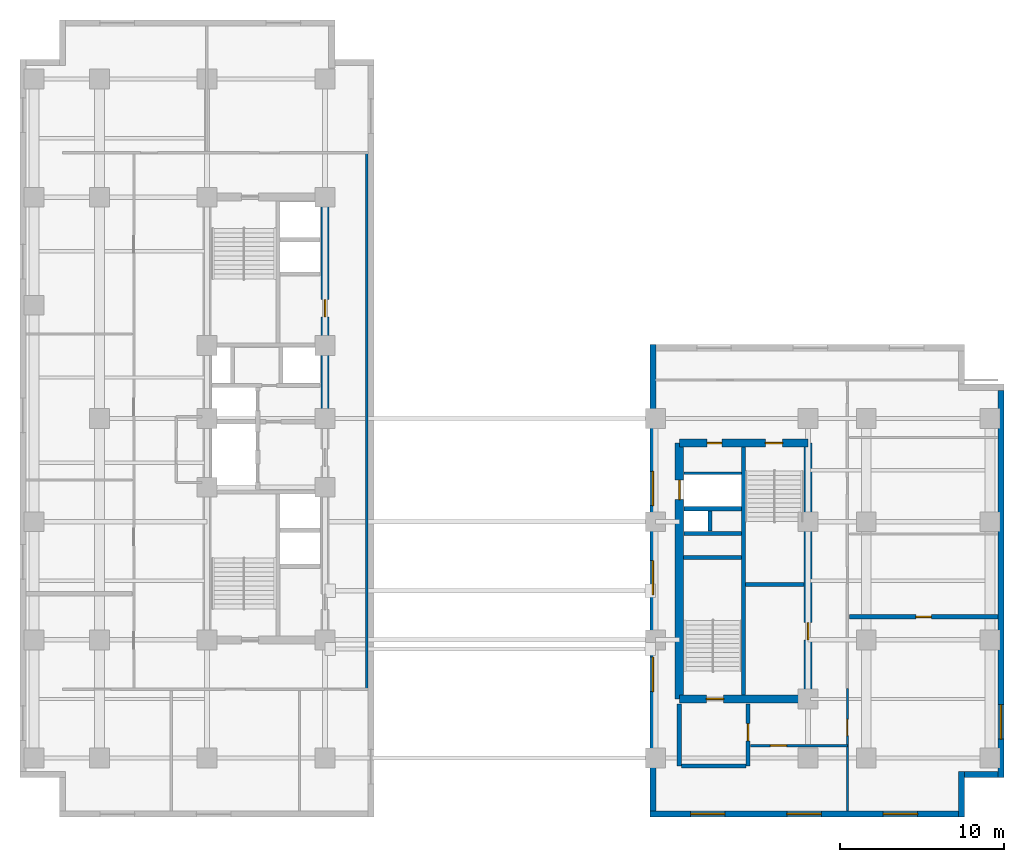
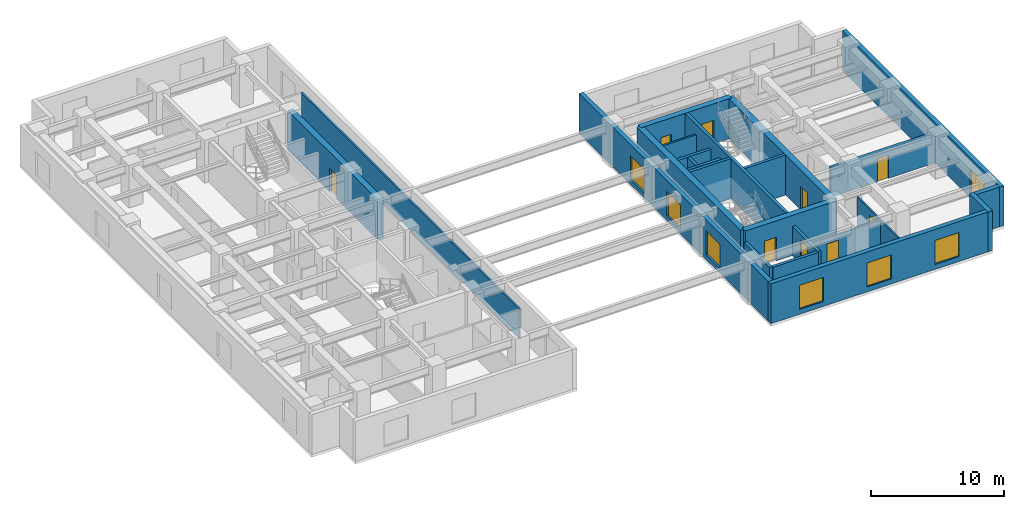
# One storey, part 4 of 8: 24 walls, 10 doors, 7 windows, 17 openings.
"""IFC4 building model written with IfcOpenShell, lengths in metres."""

from ifc_helpers import new_model, entity, si_unit, converted_unit, direction, frame, origin_with_axes, origin_2d_with_axis, place, context, subcontext, project, spatial, polyline, rectangle, outline, extrude, material, layer, layer_set, type_object, element, fill, save


model = new_model("IFC4")

# Units and contexts
model_context = context("Model", 3, precision=1e-05, world=origin_with_axes(), true_north=direction((0.0, 1.0)))
body_context = subcontext(model_context, "Body", "Model", "MODEL_VIEW")
ifc_project = project(units=[si_unit("LENGTHUNIT", "METRE"), si_unit("AREAUNIT", "SQUARE_METRE"), si_unit("VOLUMEUNIT", "CUBIC_METRE"), converted_unit("PLANEANGLEUNIT", "DEGREE", entity("IfcPlaneAngleMeasure", 0.017453292519943295), si_unit("PLANEANGLEUNIT", "RADIAN"), dimensions=[0, 0, 0, 0, 0, 0, 0]), si_unit("MASSUNIT", "GRAM", prefix="KILO"), si_unit("THERMODYNAMICTEMPERATUREUNIT", "KELVIN")], contexts=[model_context])

# Site, building, storey
site_placement = place(None, origin_with_axes())
site = spatial("IfcSite", under=ifc_project, at=site_placement, CompositionType="ELEMENT")
building_placement = place(site_placement, origin_with_axes())
building = spatial("IfcBuilding", under=site, at=building_placement, Name="Varnlund Millrace Tower", CompositionType="ELEMENT")
storey_placement = place(building_placement, frame((0.0, 0.0, 100.8), z_axis=(0.0, 0.0, 1.0), x_axis=(1.0, 0.0, 0.0)))
storey = spatial("IfcBuildingStorey", under=building, at=storey_placement, Name="L24", CompositionType="ELEMENT", Elevation=100.8)

# Wall, opening, door
ifc_material_1 = material(Name="Concrete C70/85", Category="concrete")
ifc_layer_1 = layer(ifc_material_1, 0.5, Name="Concrete C70/85")
ifc_layer_set_1 = layer_set([ifc_layer_1], Name="Concrete C70/85")
wall_type_1 = type_object("IfcWallType", Name="Type-CoreWall-Shear-500-C70", PredefinedType="SHEAR", material=ifc_layer_set_1)
wall_1_placement = place(storey_placement, frame((18.6, 24.3, 0.0), z_axis=(0.0, 0.0, 1.0), x_axis=(0.0, 1.0, 0.0)))
wall_1 = element("IfcWall", 1, at=wall_1_placement, inside=storey, type_object=wall_type_1, Name="Type-CoreWall-Shear-500-C70", PredefinedType="SHEAR", context=body_context, shape_type="SweptSolid", body=[
    extrude(outline(polyline([(0.0, -0.25), (13.5, -0.25), (13.5, 0.25), (0.0, 0.25), (0.0, -0.25)])), origin_with_axes(), (0.0, 0.0, 1.0), 3.66),
])
opening_1_placement = place(wall_1_placement, frame((6.725, 0.0, 0.0), z_axis=(0.0, 0.0, 1.0), x_axis=(1.0, 0.0, 0.0)))
opening_1 = element("IfcOpeningElement", 2, at=opening_1_placement, cuts=wall_1, Name="Opening L24:DR-CA-WC1", PredefinedType="OPENING", context=body_context, shape_type="SweptSolid", body=[
    extrude(rectangle(XDim=1.05, YDim=0.52, at=origin_2d_with_axis()), origin_with_axes(), (0.0, 0.0, 1.0), 2.15),
])
ifc_material_2 = material(Name="Smoke-barrier hollow steel fire door", Category="steel")
door_type_1 = type_object("IfcDoorType", Name="Type-FireDoor-Lobby-1050X2150", OperationType="NOTDEFINED", PredefinedType="DOOR", material=ifc_material_2)
door_1_placement = place(wall_1_placement, frame((6.725, 0.0, 0.0), z_axis=(0.0, 0.0, 1.0), x_axis=(1.0, 0.0, 0.0)))
door_1 = element("IfcDoor", 3, at=door_1_placement, inside=storey, type_object=door_type_1, Name="Type-FireDoor-Lobby-1050X2150", OperationType="SINGLE_SWING_LEFT", OverallHeight=2.15, OverallWidth=1.05, PredefinedType="DOOR", context=body_context, shape_type="SweptSolid", body=[
    extrude(rectangle(XDim=1.05, YDim=0.09, at=origin_2d_with_axis()), origin_with_axes(), (0.0, 0.0, 1.0), 2.15),
])
fill(opening_1, door_1)

wall_2_placement = place(storey_placement, frame((40.2, 7.2, 0.0), z_axis=(0.0, 0.0, 1.0), x_axis=(0.0, 1.0, 0.0)))
wall_2 = element("IfcWall", 4, at=wall_2_placement, inside=storey, type_object=wall_type_1, Name="Type-CoreWall-Shear-500-C70", PredefinedType="SHEAR", context=body_context, shape_type="SweptSolid", body=[
    extrude(outline(polyline([(0.0, -0.25), (15.6, -0.25), (15.6, 0.25), (0.0, 0.25), (0.0, -0.25)])), origin_with_axes(), (0.0, 0.0, 1.0), 3.66),
])
opening_2_placement = place(wall_2_placement, frame((12.75, 0.0, 0.0), z_axis=(0.0, 0.0, 1.0), x_axis=(1.0, 0.0, 0.0)))
opening_2 = element("IfcOpeningElement", 5, at=opening_2_placement, cuts=wall_2, Name="Opening L24:LD-SRV2", PredefinedType="OPENING", context=body_context, shape_type="SweptSolid", body=[
    extrude(rectangle(XDim=1.2, YDim=0.52, at=origin_2d_with_axis()), origin_with_axes(), (0.0, 0.0, 1.0), 2.15),
])
ifc_material_3 = material(Name="Heavy-duty freight sliding landing door")
door_type_2 = type_object("IfcDoorType", Name="Type-LiftLandingDoor-Service-1200X2150", OperationType="NOTDEFINED", PredefinedType="DOOR", material=ifc_material_3)
door_2_placement = place(wall_2_placement, frame((12.75, 0.0, 0.0), z_axis=(0.0, 0.0, 1.0), x_axis=(1.0, 0.0, 0.0)))
door_2 = element("IfcDoor", 6, at=door_2_placement, inside=storey, type_object=door_type_2, Name="Type-LiftLandingDoor-Service-1200X2150", OperationType="DOUBLE_DOOR_SLIDING", OverallHeight=2.15, OverallWidth=1.2, PredefinedType="DOOR", context=body_context, shape_type="SweptSolid", body=[
    extrude(rectangle(XDim=1.2, YDim=0.09, at=origin_2d_with_axis()), origin_with_axes(), (0.0, 0.0, 1.0), 2.15),
])
fill(opening_2, door_2)

wall_3_placement = place(storey_placement, frame((40.2, 7.2, 0.0), z_axis=(0.0, 0.0, 1.0), x_axis=(1.0, 0.0, 0.0)))
wall_3 = element("IfcWall", 7, at=wall_3_placement, inside=storey, type_object=wall_type_1, Name="Type-CoreWall-Shear-500-C70", PredefinedType="SHEAR", context=body_context, shape_type="SweptSolid", body=[
    extrude(outline(polyline([(0.0, -0.25), (7.85, -0.25), (7.85, 0.25), (0.0, 0.25), (0.0, -0.25)])), origin_with_axes(), (0.0, 0.0, 1.0), 3.66),
])
opening_3_placement = place(wall_3_placement, frame((2.175, 0.0, 0.0), z_axis=(0.0, 0.0, 1.0), x_axis=(1.0, 0.0, 0.0)))
opening_3 = element("IfcOpeningElement", 8, at=opening_3_placement, cuts=wall_3, Name="Opening L24:DR-STB1", PredefinedType="OPENING", context=body_context, shape_type="SweptSolid", body=[
    extrude(rectangle(XDim=1.05, YDim=0.52, at=origin_2d_with_axis()), origin_with_axes(), (0.0, 0.0, 1.0), 2.15),
])
ifc_material_4 = material(Name="Fire-rated hollow steel door", Category="steel")
door_type_3 = type_object("IfcDoorType", Name="Type-FireDoor-Stair-1050X2150", OperationType="NOTDEFINED", PredefinedType="DOOR", material=ifc_material_4)
door_3_placement = place(wall_3_placement, frame((2.175, 0.0, 0.0), z_axis=(0.0, 0.0, 1.0), x_axis=(1.0, 0.0, 0.0)))
door_3 = element("IfcDoor", 9, at=door_3_placement, inside=storey, type_object=door_type_3, Name="Type-FireDoor-Stair-1050X2150", OperationType="SINGLE_SWING_LEFT", OverallHeight=2.15, OverallWidth=1.05, PredefinedType="DOOR", context=body_context, shape_type="SweptSolid", body=[
    extrude(rectangle(XDim=1.05, YDim=0.09, at=origin_2d_with_axis()), origin_with_axes(), (0.0, 0.0, 1.0), 2.15),
])
fill(opening_3, door_3)

# Wall, openings, doors
wall_4_placement = place(storey_placement, frame((40.2, 22.8, 0.0), z_axis=(0.0, 0.0, 1.0), x_axis=(1.0, 0.0, 0.0)))
wall_4 = element("IfcWall", 10, at=wall_4_placement, inside=storey, type_object=wall_type_1, Name="Type-CoreWall-Shear-500-C70", PredefinedType="SHEAR", context=body_context, shape_type="SweptSolid", body=[
    extrude(outline(polyline([(0.0, -0.25), (7.85, -0.25), (7.85, 0.25), (0.0, 0.25), (0.0, -0.25)])), origin_with_axes(), (0.0, 0.0, 1.0), 3.66),
])
opening_4_placement = place(wall_4_placement, frame((5.775, 0.0, 0.0), z_axis=(0.0, 0.0, 1.0), x_axis=(1.0, 0.0, 0.0)))
opening_4 = element("IfcOpeningElement", 11, at=opening_4_placement, cuts=wall_4, Name="Opening L24:DR-STB2", PredefinedType="OPENING", context=body_context, shape_type="SweptSolid", body=[
    extrude(rectangle(XDim=1.05, YDim=0.52, at=origin_2d_with_axis()), origin_with_axes(), (0.0, 0.0, 1.0), 2.15),
])
opening_5_placement = place(wall_4_placement, frame((2.15, 0.0, 0.0), z_axis=(0.0, 0.0, 1.0), x_axis=(1.0, 0.0, 0.0)))
opening_5 = element("IfcOpeningElement", 12, at=opening_5_placement, cuts=wall_4, Name="Opening L24:DR-CB-NW", PredefinedType="OPENING", context=body_context, shape_type="SweptSolid", body=[
    extrude(rectangle(XDim=0.9, YDim=0.52, at=origin_2d_with_axis()), origin_with_axes(), (0.0, 0.0, 1.0), 2.15),
])
ifc_material_5 = material(Name="Fire-rated hollow steel service closet door", Category="steel")
door_type_4 = type_object("IfcDoorType", Name="Type-FireDoor-Closet-900X2150", OperationType="NOTDEFINED", PredefinedType="DOOR", material=ifc_material_5)
door_4_placement = place(wall_4_placement, frame((2.15, 0.0, 0.0), z_axis=(0.0, 0.0, 1.0), x_axis=(1.0, 0.0, 0.0)))
door_4 = element("IfcDoor", 13, at=door_4_placement, inside=storey, type_object=door_type_4, Name="Type-FireDoor-Closet-900X2150", OperationType="SINGLE_SWING_LEFT", OverallHeight=2.15, OverallWidth=0.9, PredefinedType="DOOR", context=body_context, shape_type="SweptSolid", body=[
    extrude(rectangle(XDim=0.9, YDim=0.09, at=origin_2d_with_axis()), origin_with_axes(), (0.0, 0.0, 1.0), 2.15),
])
fill(opening_5, door_4)
door_5_placement = place(wall_4_placement, frame((5.775, 0.0, 0.0), z_axis=(0.0, 0.0, 1.0), x_axis=(1.0, 0.0, 0.0)))
door_5 = element("IfcDoor", 14, at=door_5_placement, inside=storey, type_object=door_type_3, Name="Type-FireDoor-Stair-1050X2150", OperationType="SINGLE_SWING_RIGHT", OverallHeight=2.15, OverallWidth=1.05, PredefinedType="DOOR", context=body_context, shape_type="SweptSolid", body=[
    extrude(rectangle(XDim=1.05, YDim=0.09, at=origin_2d_with_axis()), origin_with_axes(), (0.0, 0.0, 1.0), 2.15),
])
fill(opening_4, door_5)

# Wall, opening, door
wall_5_placement = place(storey_placement, frame((48.05, 7.2, 0.0), z_axis=(0.0, 0.0, 1.0), x_axis=(0.0, 1.0, 0.0)))
wall_5 = element("IfcWall", 15, at=wall_5_placement, inside=storey, type_object=wall_type_1, Name="Type-CoreWall-Shear-500-C70", PredefinedType="SHEAR", context=body_context, shape_type="SweptSolid", body=[
    extrude(outline(polyline([(0.0, -0.25), (15.6, -0.25), (15.6, 0.25), (0.0, 0.25), (0.0, -0.25)])), origin_with_axes(), (0.0, 0.0, 1.0), 3.66),
])
opening_6_placement = place(wall_5_placement, frame((4.125, 0.0, 0.0), z_axis=(0.0, 0.0, 1.0), x_axis=(1.0, 0.0, 0.0)))
opening_6 = element("IfcOpeningElement", 16, at=opening_6_placement, cuts=wall_5, Name="Opening L24:DR-CB-WC", PredefinedType="OPENING", context=body_context, shape_type="SweptSolid", body=[
    extrude(rectangle(XDim=1.05, YDim=0.52, at=origin_2d_with_axis()), origin_with_axes(), (0.0, 0.0, 1.0), 2.15),
])
door_6_placement = place(wall_5_placement, frame((4.125, 0.0, 0.0), z_axis=(0.0, 0.0, 1.0), x_axis=(1.0, 0.0, 0.0)))
door_6 = element("IfcDoor", 17, at=door_6_placement, inside=storey, type_object=door_type_1, Name="Type-FireDoor-Lobby-1050X2150", OperationType="SINGLE_SWING_LEFT", OverallHeight=2.15, OverallWidth=1.05, PredefinedType="DOOR", context=body_context, shape_type="SweptSolid", body=[
    extrude(rectangle(XDim=1.05, YDim=0.09, at=origin_2d_with_axis()), origin_with_axes(), (0.0, 0.0, 1.0), 2.15),
])
fill(opening_6, door_6)

# Wall, opening, window
ifc_material_6 = material(Name="Precast concrete C50/60", Category="concrete")
ifc_layer_2 = layer(ifc_material_6, 0.38, Name="Precast concrete C50/60")
ifc_layer_set_2 = layer_set([ifc_layer_2], Name="Precast concrete C50/60")
wall_type_2 = type_object("IfcWallType", Name="Type-ExtWall-Precast-Tube-380", PredefinedType="SOLIDWALL", material=ifc_layer_set_2)
wall_6_placement = place(storey_placement, frame((59.81, 26.02, 0.0), z_axis=(0.0, 0.0, 1.0), x_axis=(0.0, -1.0, 0.0)))
wall_6 = element("IfcWall", 18, at=wall_6_placement, inside=storey, type_object=wall_type_2, Name="Type-ExtWall-Precast-Tube-380", PredefinedType="SOLIDWALL", context=body_context, shape_type="SweptSolid", body=[
    extrude(outline(polyline([(0.0, -0.19), (23.62, -0.19), (23.62, 0.19), (0.0, 0.19), (0.0, -0.19)])), origin_with_axes(), (0.0, 0.0, 1.0), 3.66),
])
opening_7_placement = place(wall_6_placement, frame((20.218, 0.0, 0.45), z_axis=(0.0, 0.0, 1.0), x_axis=(1.0, 0.0, 0.0)))
opening_7 = element("IfcOpeningElement", 19, at=opening_7_placement, cuts=wall_6, Name="Opening L24:WN-15", PredefinedType="OPENING", context=body_context, shape_type="SweptSolid", body=[
    extrude(rectangle(XDim=2.1, YDim=0.4, at=origin_2d_with_axis()), origin_with_axes(), (0.0, 0.0, 1.0), 2.2),
])
ifc_material_7 = material(Name="Argon low-e triple glazing in thermally broken bronze frame", Category="glass")
window_type = type_object("IfcWindowType", Name="Type-Window-Punched-2100X2200", PartitioningType="SINGLE_PANEL", PredefinedType="WINDOW", material=ifc_material_7)
window_1_placement = place(wall_6_placement, frame((20.218, 0.0, 0.45), z_axis=(0.0, 0.0, 1.0), x_axis=(1.0, 0.0, 0.0)))
window_1 = element("IfcWindow", 20, at=window_1_placement, inside=storey, type_object=window_type, Name="Type-Window-Punched-2100X2200", OverallHeight=2.2, OverallWidth=2.1, PredefinedType="WINDOW", context=body_context, shape_type="SweptSolid", body=[
    extrude(rectangle(XDim=2.1, YDim=0.09, at=origin_2d_with_axis()), origin_with_axes(), (0.0, 0.0, 1.0), 2.2),
])
fill(opening_7, window_1)

# Walls
wall_7_placement = place(storey_placement, frame((59.62, 2.59, 0.0), z_axis=(0.0, 0.0, 1.0), x_axis=(-1.0, 0.0, 0.0)))
element("IfcWall", 21, at=wall_7_placement, inside=storey, type_object=wall_type_2, Name="Type-ExtWall-Precast-Tube-380", PredefinedType="SOLIDWALL", context=body_context, shape_type="SweptSolid", body=[
    extrude(outline(polyline([(0.0, -0.19), (2.02, -0.19), (2.02, 0.19), (0.0, 0.19), (0.0, -0.19)])), origin_with_axes(), (0.0, 0.0, 1.0), 3.66),
])
wall_8_placement = place(storey_placement, frame((57.41, 2.78, 0.0), z_axis=(0.0, 0.0, 1.0), x_axis=(0.0, -1.0, 0.0)))
element("IfcWall", 22, at=wall_8_placement, inside=storey, type_object=wall_type_2, Name="Type-ExtWall-Precast-Tube-380", PredefinedType="SOLIDWALL", context=body_context, shape_type="SweptSolid", body=[
    extrude(outline(polyline([(0.0, -0.19), (2.78, -0.19), (2.78, 0.19), (0.0, 0.19), (0.0, -0.19)])), origin_with_axes(), (0.0, 0.0, 1.0), 3.66),
])

# Wall, openings, windows
wall_9_placement = place(storey_placement, frame((57.22, 0.19, 0.0), z_axis=(0.0, 0.0, 1.0), x_axis=(-1.0, 0.0, 0.0)))
wall_9 = element("IfcWall", 23, at=wall_9_placement, inside=storey, type_object=wall_type_2, Name="Type-ExtWall-Precast-Tube-380", PredefinedType="SOLIDWALL", context=body_context, shape_type="SweptSolid", body=[
    extrude(outline(polyline([(0.0, -0.19), (18.82, -0.19), (18.82, 0.19), (0.0, 0.19), (0.0, -0.19)])), origin_with_axes(), (0.0, 0.0, 1.0), 3.66),
])
opening_8_placement = place(wall_9_placement, frame((3.537, 0.0, 0.45), z_axis=(0.0, 0.0, 1.0), x_axis=(1.0, 0.0, 0.0)))
opening_8 = element("IfcOpeningElement", 24, at=opening_8_placement, cuts=wall_9, Name="Opening L24:WN-16", PredefinedType="OPENING", context=body_context, shape_type="SweptSolid", body=[
    extrude(rectangle(XDim=2.1, YDim=0.4, at=origin_2d_with_axis()), origin_with_axes(), (0.0, 0.0, 1.0), 2.2),
])
opening_9_placement = place(wall_9_placement, frame((9.41, 0.0, 0.45), z_axis=(0.0, 0.0, 1.0), x_axis=(1.0, 0.0, 0.0)))
opening_9 = element("IfcOpeningElement", 25, at=opening_9_placement, cuts=wall_9, Name="Opening L24:WN-17", PredefinedType="OPENING", context=body_context, shape_type="SweptSolid", body=[
    extrude(rectangle(XDim=2.1, YDim=0.4, at=origin_2d_with_axis()), origin_with_axes(), (0.0, 0.0, 1.0), 2.2),
])
opening_10_placement = place(wall_9_placement, frame((15.283, 0.0, 0.45), z_axis=(0.0, 0.0, 1.0), x_axis=(1.0, 0.0, 0.0)))
opening_10 = element("IfcOpeningElement", 26, at=opening_10_placement, cuts=wall_9, Name="Opening L24:WN-18", PredefinedType="OPENING", context=body_context, shape_type="SweptSolid", body=[
    extrude(rectangle(XDim=2.1, YDim=0.4, at=origin_2d_with_axis()), origin_with_axes(), (0.0, 0.0, 1.0), 2.2),
])
window_2_placement = place(wall_9_placement, frame((3.537, 0.0, 0.45), z_axis=(0.0, 0.0, 1.0), x_axis=(1.0, 0.0, 0.0)))
window_2 = element("IfcWindow", 27, at=window_2_placement, inside=storey, type_object=window_type, Name="Type-Window-Punched-2100X2200", OverallHeight=2.2, OverallWidth=2.1, PredefinedType="WINDOW", context=body_context, shape_type="SweptSolid", body=[
    extrude(rectangle(XDim=2.1, YDim=0.09, at=origin_2d_with_axis()), origin_with_axes(), (0.0, 0.0, 1.0), 2.2),
])
fill(opening_8, window_2)
window_3_placement = place(wall_9_placement, frame((9.41, 0.0, 0.45), z_axis=(0.0, 0.0, 1.0), x_axis=(1.0, 0.0, 0.0)))
window_3 = element("IfcWindow", 28, at=window_3_placement, inside=storey, type_object=window_type, Name="Type-Window-Punched-2100X2200", OverallHeight=2.2, OverallWidth=2.1, PredefinedType="WINDOW", context=body_context, shape_type="SweptSolid", body=[
    extrude(rectangle(XDim=2.1, YDim=0.09, at=origin_2d_with_axis()), origin_with_axes(), (0.0, 0.0, 1.0), 2.2),
])
fill(opening_9, window_3)
window_4_placement = place(wall_9_placement, frame((15.283, 0.0, 0.45), z_axis=(0.0, 0.0, 1.0), x_axis=(1.0, 0.0, 0.0)))
window_4 = element("IfcWindow", 29, at=window_4_placement, inside=storey, type_object=window_type, Name="Type-Window-Punched-2100X2200", OverallHeight=2.2, OverallWidth=2.1, PredefinedType="WINDOW", context=body_context, shape_type="SweptSolid", body=[
    extrude(rectangle(XDim=2.1, YDim=0.09, at=origin_2d_with_axis()), origin_with_axes(), (0.0, 0.0, 1.0), 2.2),
])
fill(opening_10, window_4)

wall_10_placement = place(storey_placement, frame((38.59, 0.38, 0.0), z_axis=(0.0, 0.0, 1.0), x_axis=(0.0, 1.0, 0.0)))
wall_10 = element("IfcWall", 30, at=wall_10_placement, inside=storey, type_object=wall_type_2, Name="Type-ExtWall-Precast-Tube-380", PredefinedType="SOLIDWALL", context=body_context, shape_type="SweptSolid", body=[
    extrude(outline(polyline([(0.0, -0.19), (28.42, -0.19), (28.42, 0.19), (0.0, 0.19), (0.0, -0.19)])), origin_with_axes(), (0.0, 0.0, 1.0), 3.66),
])
opening_11_placement = place(wall_10_placement, frame((8.316, 0.0, 0.45), z_axis=(0.0, 0.0, 1.0), x_axis=(1.0, 0.0, 0.0)))
opening_11 = element("IfcOpeningElement", 31, at=opening_11_placement, cuts=wall_10, Name="Opening L24:WN-19", PredefinedType="OPENING", context=body_context, shape_type="SweptSolid", body=[
    extrude(rectangle(XDim=2.1, YDim=0.4, at=origin_2d_with_axis()), origin_with_axes(), (0.0, 0.0, 1.0), 2.2),
])
opening_12_placement = place(wall_10_placement, frame((14.21, 0.0, 0.45), z_axis=(0.0, 0.0, 1.0), x_axis=(1.0, 0.0, 0.0)))
opening_12 = element("IfcOpeningElement", 32, at=opening_12_placement, cuts=wall_10, Name="Opening L24:WN-20", PredefinedType="OPENING", context=body_context, shape_type="SweptSolid", body=[
    extrude(rectangle(XDim=2.1, YDim=0.4, at=origin_2d_with_axis()), origin_with_axes(), (0.0, 0.0, 1.0), 2.2),
])
opening_13_placement = place(wall_10_placement, frame((19.654, 0.0, 0.45), z_axis=(0.0, 0.0, 1.0), x_axis=(1.0, 0.0, 0.0)))
opening_13 = element("IfcOpeningElement", 33, at=opening_13_placement, cuts=wall_10, Name="Opening L24:WN-21", PredefinedType="OPENING", context=body_context, shape_type="SweptSolid", body=[
    extrude(rectangle(XDim=2.1, YDim=0.4, at=origin_2d_with_axis()), origin_with_axes(), (0.0, 0.0, 1.0), 2.2),
])
window_5_placement = place(wall_10_placement, frame((8.316, 0.0, 0.45), z_axis=(0.0, 0.0, 1.0), x_axis=(1.0, 0.0, 0.0)))
window_5 = element("IfcWindow", 34, at=window_5_placement, inside=storey, type_object=window_type, Name="Type-Window-Punched-2100X2200", OverallHeight=2.2, OverallWidth=2.1, PredefinedType="WINDOW", context=body_context, shape_type="SweptSolid", body=[
    extrude(rectangle(XDim=2.1, YDim=0.09, at=origin_2d_with_axis()), origin_with_axes(), (0.0, 0.0, 1.0), 2.2),
])
fill(opening_11, window_5)
window_6_placement = place(wall_10_placement, frame((14.21, 0.0, 0.45), z_axis=(0.0, 0.0, 1.0), x_axis=(1.0, 0.0, 0.0)))
window_6 = element("IfcWindow", 35, at=window_6_placement, inside=storey, type_object=window_type, Name="Type-Window-Punched-2100X2200", OverallHeight=2.2, OverallWidth=2.1, PredefinedType="WINDOW", context=body_context, shape_type="SweptSolid", body=[
    extrude(rectangle(XDim=2.1, YDim=0.09, at=origin_2d_with_axis()), origin_with_axes(), (0.0, 0.0, 1.0), 2.2),
])
fill(opening_12, window_6)
window_7_placement = place(wall_10_placement, frame((19.654, 0.0, 0.45), z_axis=(0.0, 0.0, 1.0), x_axis=(1.0, 0.0, 0.0)))
window_7 = element("IfcWindow", 36, at=window_7_placement, inside=storey, type_object=window_type, Name="Type-Window-Punched-2100X2200", OverallHeight=2.2, OverallWidth=2.1, PredefinedType="WINDOW", context=body_context, shape_type="SweptSolid", body=[
    extrude(rectangle(XDim=2.1, YDim=0.09, at=origin_2d_with_axis()), origin_with_axes(), (0.0, 0.0, 1.0), 2.2),
])
fill(opening_13, window_7)

# Wall, opening, door
ifc_material_8 = material(Name="Double-stud STC-60 conference acoustic partition", Category="gypsum")
ifc_layer_3 = layer(ifc_material_8, 0.28, Name="Double-stud STC-60 conference acoustic partition")
ifc_layer_set_3 = layer_set([ifc_layer_3], Name="Double-stud STC-60 conference acoustic partition")
wall_type_3 = type_object("IfcWallType", Name="Type-Partition-Acoustic-280", PredefinedType="PARTITIONING", material=ifc_layer_set_3)
wall_11_placement = place(storey_placement, frame((50.57, 12.209, 0.0), z_axis=(0.0, 0.0, 1.0), x_axis=(1.0, 0.0, 0.0)))
wall_11 = element("IfcWall", 37, at=wall_11_placement, inside=storey, type_object=wall_type_3, Name="Type-Partition-Acoustic-280", PredefinedType="PARTITIONING", context=body_context, shape_type="SweptSolid", body=[
    extrude(outline(polyline([(0.0, -0.14), (9.055, -0.14), (9.055, 0.14), (0.0, 0.14), (0.0, -0.14)])), origin_with_axes(), (0.0, 0.0, 1.0), 2.7),
])
opening_14_placement = place(wall_11_placement, frame((4.525, 0.0, 0.0), z_axis=(0.0, 0.0, 1.0), x_axis=(1.0, 0.0, 0.0)))
opening_14 = element("IfcOpeningElement", 38, at=opening_14_placement, cuts=wall_11, Name="Opening L24:DR-WB-01", PredefinedType="OPENING", context=body_context, shape_type="SweptSolid", body=[
    extrude(rectangle(XDim=0.95, YDim=0.3, at=origin_2d_with_axis()), origin_with_axes(), (0.0, 0.0, 1.0), 2.15),
])
ifc_material_9 = material(Name="Solid-core acoustic office door")
door_type_5 = type_object("IfcDoorType", Name="Type-IntDoor-Tenant-950X2150", OperationType="NOTDEFINED", PredefinedType="DOOR", material=ifc_material_9)
door_7_placement = place(wall_11_placement, frame((4.525, 0.0, 0.0), z_axis=(0.0, 0.0, 1.0), x_axis=(1.0, 0.0, 0.0)))
door_7 = element("IfcDoor", 39, at=door_7_placement, inside=storey, type_object=door_type_5, Name="Type-IntDoor-Tenant-950X2150", OperationType="SINGLE_SWING_LEFT", OverallHeight=2.15, OverallWidth=0.95, PredefinedType="DOOR", context=body_context, shape_type="SweptSolid", body=[
    extrude(rectangle(XDim=0.95, YDim=0.09, at=origin_2d_with_axis()), origin_with_axes(), (0.0, 0.0, 1.0), 2.15),
])
fill(opening_14, door_7)

# Walls
ifc_material_10 = material(Name="Fire-rated gypsum board on cold-formed steel framing", Category="steel")
ifc_layer_4 = layer(ifc_material_10, 0.16, Name="Fire-rated gypsum board on cold-formed steel framing")
ifc_layer_set_4 = layer_set([ifc_layer_4], Name="Fire-rated gypsum board on cold-formed steel framing")
wall_type_4 = type_object("IfcWallType", Name="Type-Partition-Corridor-160", PredefinedType="PARTITIONING", material=ifc_layer_set_4)
wall_12_placement = place(storey_placement, frame((40.5, 20.96, 0.0), z_axis=(0.0, 0.0, 1.0), x_axis=(1.0, 0.0, 0.0)))
element("IfcWall", 40, at=wall_12_placement, inside=storey, type_object=wall_type_4, Name="Type-Partition-Corridor-160", PredefinedType="PARTITIONING", context=body_context, shape_type="SweptSolid", body=[
    extrude(outline(polyline([(0.0, -0.08), (3.5, -0.08), (3.5, 0.08), (0.0, 0.08), (0.0, -0.08)])), origin_with_axes(), (0.0, 0.0, 1.0), 2.7),
])
wall_13_placement = place(storey_placement, frame((21.15, 7.8, 0.0), z_axis=(0.0, 0.0, 1.0), x_axis=(0.0, 1.0, 0.0)))
element("IfcWall", 41, at=wall_13_placement, inside=storey, type_object=wall_type_4, Name="Type-Partition-Corridor-160", PredefinedType="PARTITIONING", context=body_context, shape_type="SweptSolid", body=[
    extrude(outline(polyline([(0.0, -0.08), (32.7, -0.08), (32.7, 0.08), (0.0, 0.08), (0.0, -0.08)])), origin_with_axes(), (0.0, 0.0, 1.0), 2.7),
])

# Wall, opening, door
wall_14_placement = place(storey_placement, frame((44.55, 4.35, 0.0), z_axis=(0.0, 0.0, 1.0), x_axis=(1.0, 0.0, 0.0)))
wall_14 = element("IfcWall", 42, at=wall_14_placement, inside=storey, type_object=wall_type_4, Name="Type-Partition-Corridor-160", PredefinedType="PARTITIONING", context=body_context, shape_type="SweptSolid", body=[
    extrude(outline(polyline([(0.0, -0.08), (5.9, -0.08), (5.9, 0.08), (0.0, 0.08), (0.0, -0.08)])), origin_with_axes(), (0.0, 0.0, 1.0), 2.7),
])
opening_15_placement = place(wall_14_placement, frame((1.7, 0.0, 0.0), z_axis=(0.0, 0.0, 1.0), x_axis=(1.0, 0.0, 0.0)))
opening_15 = element("IfcOpeningElement", 43, at=opening_15_placement, cuts=wall_14, Name="Opening L24:DR-WBS-01", PredefinedType="OPENING", context=body_context, shape_type="SweptSolid", body=[
    extrude(rectangle(XDim=1.0, YDim=0.18, at=origin_2d_with_axis()), origin_with_axes(), (0.0, 0.0, 1.0), 2.15),
])
ifc_material_11 = material(Name="Solid-core white oak and bronze frame door")
door_type_6 = type_object("IfcDoorType", Name="Type-IntDoor-Office-1000X2150", OperationType="NOTDEFINED", PredefinedType="DOOR", material=ifc_material_11)
door_8_placement = place(wall_14_placement, frame((1.7, 0.0, 0.0), z_axis=(0.0, 0.0, 1.0), x_axis=(1.0, 0.0, 0.0)))
door_8 = element("IfcDoor", 44, at=door_8_placement, inside=storey, type_object=door_type_6, Name="Type-IntDoor-Office-1000X2150", OperationType="SINGLE_SWING_LEFT", OverallHeight=2.15, OverallWidth=1.0, PredefinedType="DOOR", context=body_context, shape_type="SweptSolid", body=[
    extrude(rectangle(XDim=1.0, YDim=0.09, at=origin_2d_with_axis()), origin_with_axes(), (0.0, 0.0, 1.0), 2.15),
])
fill(opening_15, door_8)

ifc_material_12 = material(Name="Gypsum board tenant partition", Category="gypsum")
ifc_layer_5 = layer(ifc_material_12, 0.125, Name="Gypsum board tenant partition")
ifc_layer_set_5 = layer_set([ifc_layer_5], Name="Gypsum board tenant partition")
wall_type_5 = type_object("IfcWallType", Name="Type-Partition-Tenant-125", PredefinedType="PARTITIONING", material=ifc_layer_set_5)
wall_15_placement = place(storey_placement, frame((50.45, 0.36, 0.0), z_axis=(0.0, 0.0, 1.0), x_axis=(0.0, 1.0, 0.0)))
wall_15 = element("IfcWall", 45, at=wall_15_placement, inside=storey, type_object=wall_type_5, Name="Type-Partition-Tenant-125", PredefinedType="PARTITIONING", context=body_context, shape_type="SweptSolid", body=[
    extrude(outline(polyline([(0.0, -0.0625), (7.49, -0.0625), (7.49, 0.0625), (0.0, 0.0625), (0.0, -0.0625)])), origin_with_axes(), (0.0, 0.0, 1.0), 2.7),
])
opening_16_placement = place(wall_15_placement, frame((5.1, 0.0, 0.0), z_axis=(0.0, 0.0, 1.0), x_axis=(1.0, 0.0, 0.0)))
opening_16 = element("IfcOpeningElement", 46, at=opening_16_placement, cuts=wall_15, Name="Opening L24:DR-WBS-02", PredefinedType="OPENING", context=body_context, shape_type="SweptSolid", body=[
    extrude(rectangle(XDim=1.0, YDim=0.145, at=origin_2d_with_axis()), origin_with_axes(), (0.0, 0.0, 1.0), 2.15),
])
door_9_placement = place(wall_15_placement, frame((5.1, 0.0, 0.0), z_axis=(0.0, 0.0, 1.0), x_axis=(1.0, 0.0, 0.0)))
door_9 = element("IfcDoor", 47, at=door_9_placement, inside=storey, type_object=door_type_6, Name="Type-IntDoor-Office-1000X2150", OperationType="SINGLE_SWING_LEFT", OverallHeight=2.15, OverallWidth=1.0, PredefinedType="DOOR", context=body_context, shape_type="SweptSolid", body=[
    extrude(rectangle(XDim=1.0, YDim=0.075, at=origin_2d_with_axis()), origin_with_axes(), (0.0, 0.0, 1.0), 2.15),
])
fill(opening_16, door_9)

# Walls
ifc_material_13 = material(Name="Concrete C60/75", Category="concrete")
ifc_layer_6 = layer(ifc_material_13, 0.25, Name="Concrete C60/75")
ifc_layer_set_6 = layer_set([ifc_layer_6], Name="Concrete C60/75")
wall_type_6 = type_object("IfcWallType", Name="Type-ShaftWall-Fire-250", PredefinedType="SOLIDWALL", material=ifc_layer_set_6)
for number, where, z_axis, x_axis, name in (
    (48, (40.5, 17.3, 0.0), (0.0, 0.0, 1.0), (1.0, 0.0, 0.0), "Type-ShaftWall-Fire-250"),
    (49, (40.5, 18.8, 0.0), (0.0, 0.0, 1.0), (1.0, 0.0, 0.0), "Type-ShaftWall-Fire-250"),
):
    element("IfcWall", number, at=place(storey_placement, frame(where, z_axis=z_axis, x_axis=x_axis)), inside=storey, type_object=wall_type_6, Name=name, PredefinedType="SOLIDWALL", context=body_context, shape_type="SweptSolid", body=[
        extrude(outline(polyline([(0.0, -0.125), (3.5, -0.125), (3.5, 0.125), (0.0, 0.125), (0.0, -0.125)])), origin_with_axes(), (0.0, 0.0, 1.0), 2.7),
    ])
wall_16_placement = place(storey_placement, frame((42.075, 17.43, 0.0), z_axis=(0.0, 0.0, 1.0), x_axis=(0.0, 1.0, 0.0)))
element("IfcWall", 50, at=wall_16_placement, inside=storey, type_object=wall_type_6, Name="Type-ShaftWall-Fire-250", PredefinedType="SOLIDWALL", context=body_context, shape_type="SweptSolid", body=[
    extrude(outline(polyline([(0.0, -0.125), (1.24, -0.125), (1.24, 0.125), (0.0, 0.125), (0.0, -0.125)])), origin_with_axes(), (0.0, 0.0, 1.0), 2.7),
])
wall_17_placement = place(storey_placement, frame((40.2, 3.1, 0.0), z_axis=(0.0, 0.0, 1.0), x_axis=(0.0, 1.0, 0.0)))
element("IfcWall", 51, at=wall_17_placement, inside=storey, type_object=wall_type_6, Name="Type-ShaftWall-Fire-250", PredefinedType="SOLIDWALL", context=body_context, shape_type="SweptSolid", body=[
    extrude(outline(polyline([(0.0, -0.125), (3.8, -0.125), (3.8, 0.125), (0.0, 0.125), (0.0, -0.125)])), origin_with_axes(), (0.0, 0.0, 1.0), 2.7),
])
wall_18_placement = place(storey_placement, frame((40.325, 3.1, 0.0), z_axis=(0.0, 0.0, 1.0), x_axis=(1.0, 0.0, 0.0)))
element("IfcWall", 52, at=wall_18_placement, inside=storey, type_object=wall_type_6, Name="Type-ShaftWall-Fire-250", PredefinedType="SOLIDWALL", context=body_context, shape_type="SweptSolid", body=[
    extrude(outline(polyline([(0.0, -0.125), (3.95, -0.125), (3.95, 0.125), (0.0, 0.125), (0.0, -0.125)])), origin_with_axes(), (0.0, 0.0, 1.0), 2.7),
])

# Wall, opening, door
wall_19_placement = place(storey_placement, frame((44.4, 3.1, 0.0), z_axis=(0.0, 0.0, 1.0), x_axis=(0.0, 1.0, 0.0)))
wall_19 = element("IfcWall", 53, at=wall_19_placement, inside=storey, type_object=wall_type_6, Name="Type-ShaftWall-Fire-250", PredefinedType="SOLIDWALL", context=body_context, shape_type="SweptSolid", body=[
    extrude(outline(polyline([(0.0, -0.125), (3.8, -0.125), (3.8, 0.125), (0.0, 0.125), (0.0, -0.125)])), origin_with_axes(), (0.0, 0.0, 1.0), 2.7),
])
opening_17_placement = place(wall_19_placement, frame((2.075, 0.0, 0.0), z_axis=(0.0, 0.0, 1.0), x_axis=(1.0, 0.0, 0.0)))
opening_17 = element("IfcOpeningElement", 54, at=opening_17_placement, cuts=wall_19, Name="Opening L24:DR-FFLOB-B", PredefinedType="OPENING", context=body_context, shape_type="SweptSolid", body=[
    extrude(rectangle(XDim=1.05, YDim=0.27, at=origin_2d_with_axis()), origin_with_axes(), (0.0, 0.0, 1.0), 2.15),
])
door_10_placement = place(wall_19_placement, frame((2.075, 0.0, 0.0), z_axis=(0.0, 0.0, 1.0), x_axis=(1.0, 0.0, 0.0)))
door_10 = element("IfcDoor", 55, at=door_10_placement, inside=storey, type_object=door_type_1, Name="Type-FireDoor-Lobby-1050X2150", OperationType="SINGLE_SWING_LEFT", OverallHeight=2.15, OverallWidth=1.05, PredefinedType="DOOR", context=body_context, shape_type="SweptSolid", body=[
    extrude(rectangle(XDim=1.05, YDim=0.09, at=origin_2d_with_axis()), origin_with_axes(), (0.0, 0.0, 1.0), 2.15),
])
fill(opening_17, door_10)

# Walls
wall_type_7 = type_object("IfcWallType", Name="Type-StairWall-Shear-250", PredefinedType="SHEAR", material=ifc_layer_set_6)
wall_20_placement = place(storey_placement, frame((44.125, 7.45, 0.0), z_axis=(0.0, 0.0, 1.0), x_axis=(0.0, 1.0, 0.0)))
element("IfcWall", 56, at=wall_20_placement, inside=storey, type_object=wall_type_7, Name="Type-StairWall-Shear-250", PredefinedType="SHEAR", context=body_context, shape_type="SweptSolid", body=[
    extrude(outline(polyline([(0.0, -0.125), (15.1, -0.125), (15.1, 0.125), (0.0, 0.125), (0.0, -0.125)])), origin_with_axes(), (0.0, 0.0, 1.0), 3.66),
])
for number, where, z_axis, x_axis, name in (
    (57, (40.45, 15.825, 0.0), (0.0, 0.0, 1.0), (1.0, 0.0, 0.0), "Type-StairWall-Shear-250"),
    (58, (44.25, 14.175, 0.0), (0.0, 0.0, 1.0), (1.0, 0.0, 0.0), "Type-StairWall-Shear-250"),
):
    element("IfcWall", number, at=place(storey_placement, frame(where, z_axis=z_axis, x_axis=x_axis)), inside=storey, type_object=wall_type_7, Name=name, PredefinedType="SHEAR", context=body_context, shape_type="SweptSolid", body=[
        extrude(outline(polyline([(0.0, -0.125), (3.55, -0.125), (3.55, 0.125), (0.0, 0.125), (0.0, -0.125)])), origin_with_axes(), (0.0, 0.0, 1.0), 3.66),
    ])

save(model, "model.ifc")
